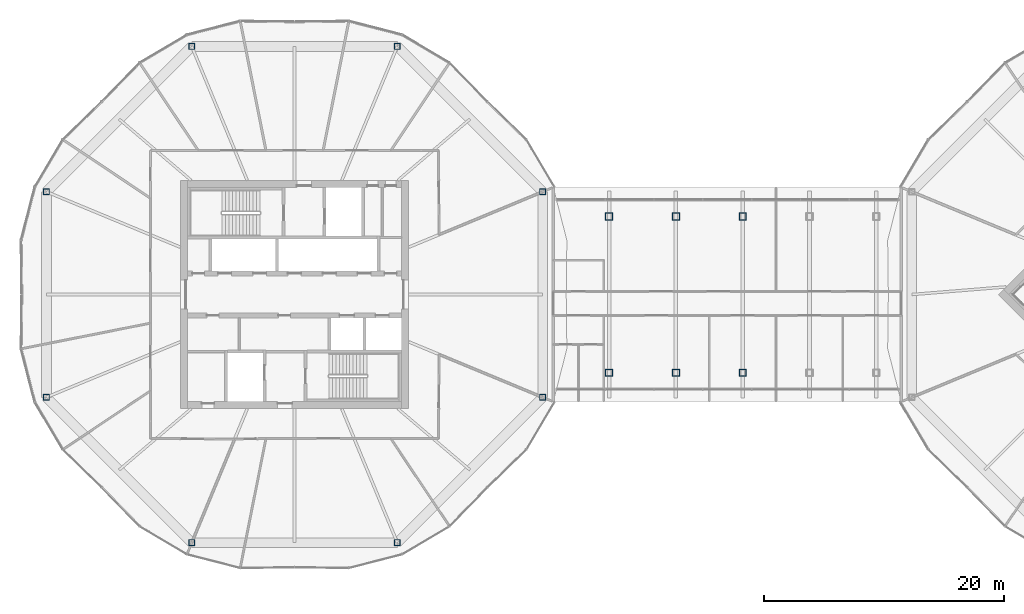
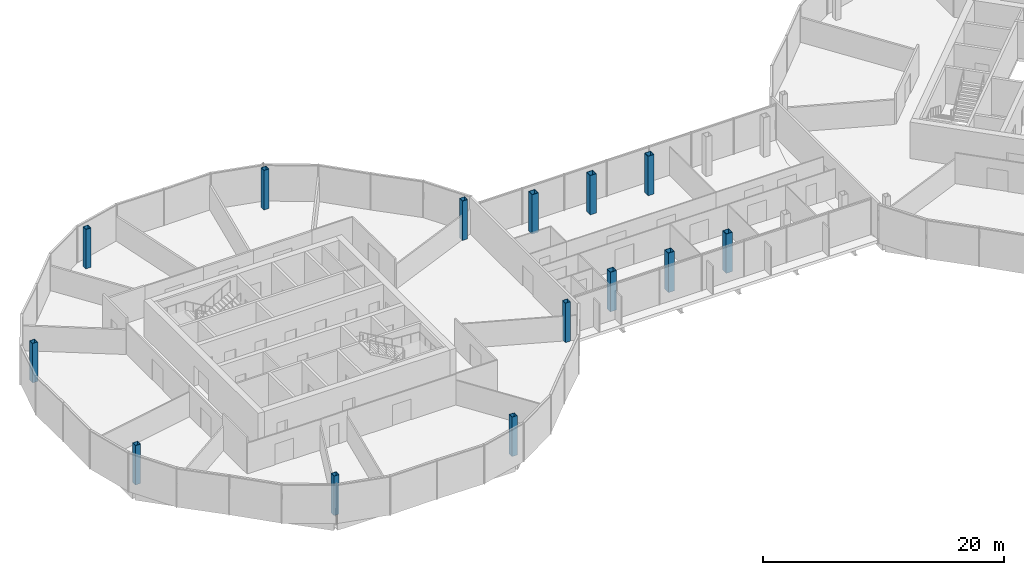
# One storey, part 1 of 25: 14 columns.
"""IFC4 building model written with IfcOpenShell, lengths in metres."""

from ifc_helpers import new_model, si_unit, direction, frame, origin, origin_2d, place, context, subcontext, project, spatial, hollow_rectangle, extrude, material, material_profile, profile_set, type_object, element, save


model = new_model("IFC4")

# Units and contexts
model_context = context("Model", 3, precision=1e-05, world=origin(), true_north=direction((0.0, 1.0)))
body_context = subcontext(model_context, "Body", "Model", "MODEL_VIEW")
ifc_project = project(units=[si_unit("LENGTHUNIT", "METRE"), si_unit("AREAUNIT", "SQUARE_METRE"), si_unit("VOLUMEUNIT", "CUBIC_METRE"), si_unit("PLANEANGLEUNIT", "RADIAN"), si_unit("MASSUNIT", "GRAM", prefix="KILO")], contexts=[model_context])

# Site, building, storey
site_placement = place(None, origin())
site = spatial("IfcSite", under=ifc_project, at=site_placement, CompositionType="ELEMENT")
building_placement = place(site_placement, origin())
building = spatial("IfcBuilding", under=site, at=building_placement, Name="Ogive Gate Towers", CompositionType="ELEMENT")
storey_placement = place(building_placement, frame((0.0, 0.0, 144.800048828125)))
storey = spatial("IfcBuildingStorey", under=building, at=storey_placement, Name="L34", CompositionType="ELEMENT", Elevation=144.800048828125)

# Columns
ifc_material = material(Name="Steel SM460", Category="steel")
ifc_material_profile_1 = material_profile(ifc_material, hollow_rectangle(XDim=0.60009765625, YDim=0.60009765625, WallThickness=0.0400390625, at=origin_2d()), Name="BX 600x600x40")
ifc_profile_set_1 = profile_set([ifc_material_profile_1], Name="Steel SM460")
column_type_1 = type_object("IfcColumnType", Name="Block column BX 600x600x40", PredefinedType="COLUMN", material=ifc_profile_set_1)
for number, where, z_axis, x_axis, name in (
    (1, (-9.83056640625, -6.5, 0.0), (0.0, 0.0, 1.0), (1.0, 0.0, 0.0), "BR/L34/SCL001"),
    (2, (-9.83056640625, 6.5, 0.0), (0.0, 0.0, 1.0), (1.0, 0.0, 0.0), "BR/L34/SCL002"),
    (3, (-4.27392578125, -6.5, 0.0), (0.0, 0.0, 1.0), (1.0, 0.0, 0.0), "BR/L34/SCL003"),
    (4, (-4.27392578125, 6.5, 0.0), (0.0, 0.0, 1.0), (1.0, 0.0, 0.0), "BR/L34/SCL004"),
    (5, (1.282470703125, -6.5, 0.0), (0.0, 0.0, 1.0), (1.0, 0.0, 0.0), "BR/L34/SCL005"),
    (6, (1.282470703125, 6.5, 0.0), (0.0, 0.0, 1.0), (1.0, 0.0, 0.0), "BR/L34/SCL006"),
):
    element("IfcColumn", number, at=place(storey_placement, frame(where, z_axis=z_axis, x_axis=x_axis)), inside=storey, type_object=column_type_1, Name=name, PredefinedType="COLUMN", context=body_context, shape_type="SweptSolid", body=[
        extrude(hollow_rectangle(XDim=0.60009765625, YDim=0.60009765625, WallThickness=0.0400390625, at=origin_2d()), origin(), (0.0, 0.0, 1.0), 4.0),
    ])
ifc_material_profile_2 = material_profile(ifc_material, hollow_rectangle(XDim=0.5, YDim=0.5, WallThickness=0.030029296875, at=origin_2d()), Name="BX 500x500x30")
ifc_profile_set_2 = profile_set([ifc_material_profile_2], Name="Steel SM460")
column_type_2 = type_object("IfcColumnType", Name="Perimeter post BX 500x500x30", PredefinedType="COLUMN", material=ifc_profile_set_2)
for number, where, z_axis, x_axis, name in (
    (7, (-15.360595703125, 8.549072265625, 0.0), (0.0, 0.0, 1.0), (1.0, 0.0, 0.0), "T1/L34/SCL001"),
    (8, (-27.450927734375, 20.639404296875, 0.0), (0.0, 0.0, 1.0), (1.0, 0.0, 0.0), "T1/L34/SCL002"),
    (9, (-44.549072265625, 20.639404296875, 0.0), (0.0, 0.0, 1.0), (1.0, 0.0, 0.0), "T1/L34/SCL003"),
    (10, (-56.639404296875, 8.549072265625, 0.0), (0.0, 0.0, 1.0), (1.0, 0.0, 0.0), "T1/L34/SCL004"),
    (11, (-56.639404296875, -8.549072265625, 0.0), (0.0, 0.0, 1.0), (1.0, 0.0, 0.0), "T1/L34/SCL005"),
    (12, (-44.549072265625, -20.639404296875, 0.0), (0.0, 0.0, 1.0), (1.0, 0.0, 0.0), "T1/L34/SCL006"),
    (13, (-27.450927734375, -20.639404296875, 0.0), (0.0, 0.0, 1.0), (1.0, 0.0, 0.0), "T1/L34/SCL007"),
    (14, (-15.360595703125, -8.549072265625, 0.0), (0.0, 0.0, 1.0), (1.0, 0.0, 0.0), "T1/L34/SCL008"),
):
    element("IfcColumn", number, at=place(storey_placement, frame(where, z_axis=z_axis, x_axis=x_axis)), inside=storey, type_object=column_type_2, Name=name, PredefinedType="COLUMN", context=body_context, shape_type="SweptSolid", body=[
        extrude(hollow_rectangle(XDim=0.5, YDim=0.5, WallThickness=0.030029296875, at=origin_2d()), origin(), (0.0, 0.0, 1.0), 4.0),
    ])

save(model, "model.ifc")
